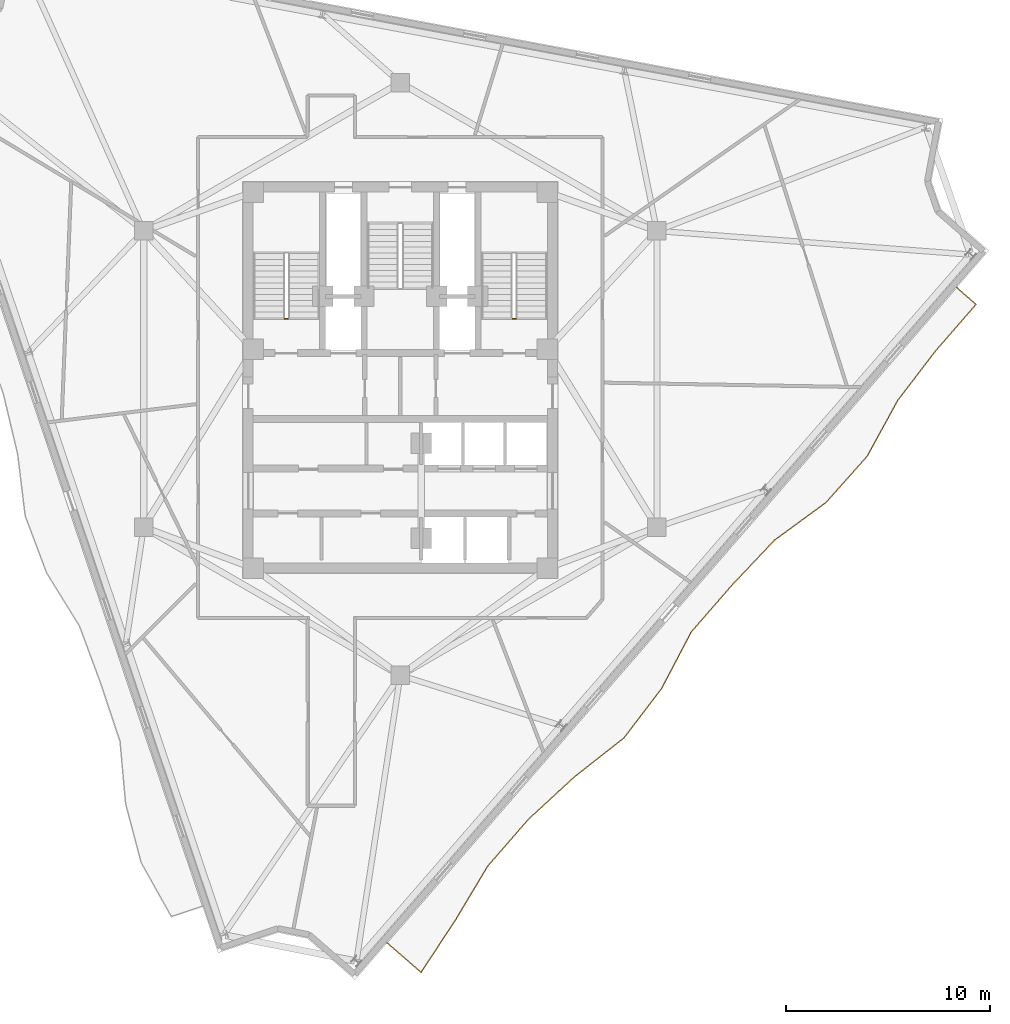
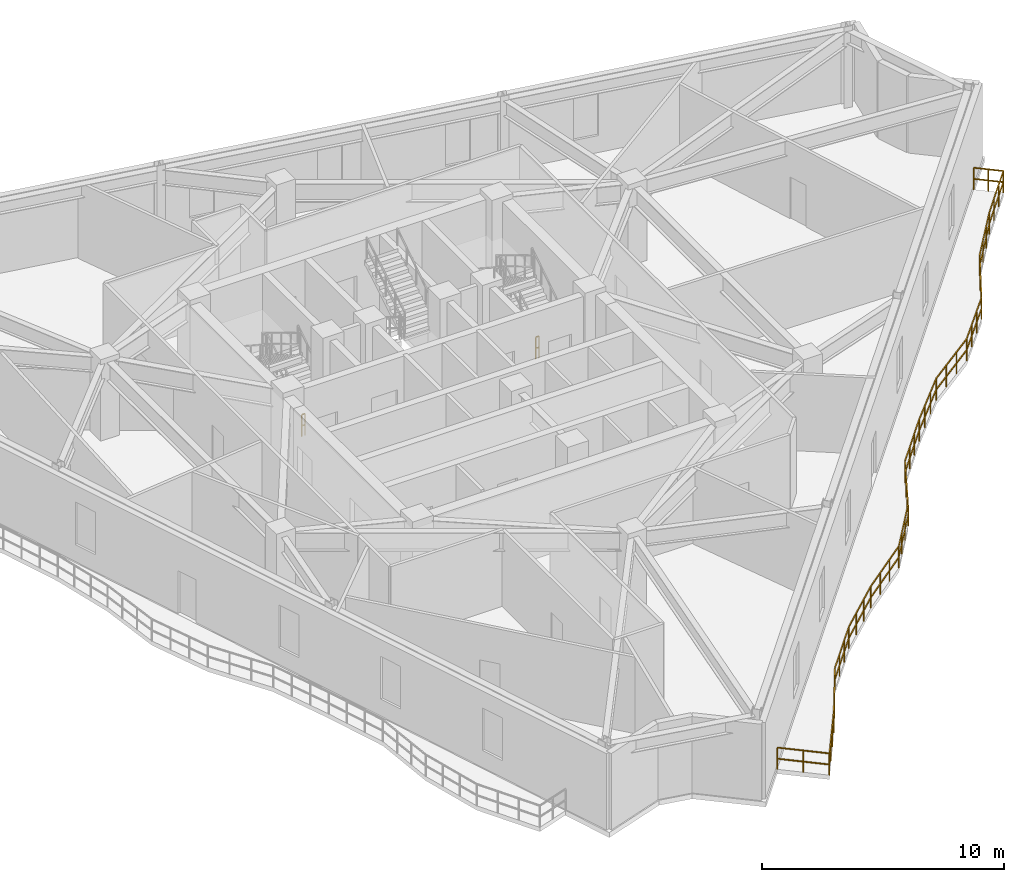
# One storey, part 9 of 10: 3 railings.
"""IFC4 building model written with IfcOpenShell, lengths in metres."""

from ifc_helpers import new_model, si_unit, direction, frame, origin, origin_2d, place, context, subcontext, project, spatial, rectangle, extrude, material, type_object, element, save


model = new_model("IFC4")

# Units and contexts
model_context = context("Model", 3, precision=1e-05, world=origin(), true_north=direction((0.0, 1.0)))
body_context = subcontext(model_context, "Body", "Model", "MODEL_VIEW")
ifc_project = project(units=[si_unit("LENGTHUNIT", "METRE"), si_unit("AREAUNIT", "SQUARE_METRE"), si_unit("VOLUMEUNIT", "CUBIC_METRE"), si_unit("PLANEANGLEUNIT", "RADIAN"), si_unit("MASSUNIT", "GRAM", prefix="KILO")], contexts=[model_context])

# Site, building, storey
site_placement = place(None, origin())
site = spatial("IfcSite", under=ifc_project, at=site_placement, CompositionType="ELEMENT")
building_placement = place(site_placement, origin())
building = spatial("IfcBuilding", under=site, at=building_placement, Name="Apsidion Concourse Tower", CompositionType="ELEMENT")
storey_placement = place(building_placement, frame((0.0, 0.0, 269.60009765625)))
storey = spatial("IfcBuildingStorey", under=building, at=storey_placement, Name="L63", CompositionType="ELEMENT", Elevation=269.60009765625)

# Railings
ifc_material = material(Name="Brushed stainless steel 316", Category="steel")
railing_type_1 = type_object("IfcRailingType", Name="RL-BAL-1120", PredefinedType="BALUSTRADE", material=ifc_material)
railing_placement = place(storey_placement, frame((27.2392578125, 4.47607421875, 0.0)))
element("IfcRailing", 1, at=railing_placement, inside=storey, type_object=railing_type_1, Name="L63 Face 2 Rippling Balcony Balustrade", PredefinedType="BALUSTRADE", context=body_context, shape_type="SweptSolid", body=[
    extrude(rectangle(XDim=0.048095703125, YDim=0.048095703125, at=origin_2d()), frame((0.0, 0.0, 1.09619140625), z_axis=(0.754702226027, -0.65606748893, 0.0), x_axis=(0.65606748893, 0.754702226027, 0.0)), (0.0, 0.0, 1.0), 1.25),
    extrude(rectangle(XDim=0.048095703125, YDim=0.048095703125, at=origin_2d()), frame((0.0, 0.0, 0.5361328125), z_axis=(0.754702226027, -0.65606748893, 0.0), x_axis=(0.65606748893, 0.754702226027, 0.0)), (0.0, 0.0, 1.0), 1.25),
    extrude(rectangle(XDim=0.048095703125, YDim=0.048095703125, at=origin_2d()), frame((0.943359375, -0.820068359375, 1.09619140625), z_axis=(-0.656041311893, -0.754724981096, 0.0), x_axis=(0.754724981096, -0.656041311893, 0.0)), (0.0, 0.0, 1.0), 3.03564453125),
    extrude(rectangle(XDim=0.048095703125, YDim=0.048095703125, at=origin_2d()), frame((0.943359375, -0.820068359375, 0.5361328125), z_axis=(-0.656041311893, -0.754724981096, 0.0), x_axis=(0.754724981096, -0.656041311893, 0.0)), (0.0, 0.0, 1.0), 3.03564453125),
    extrude(rectangle(XDim=0.048095703125, YDim=0.048095703125, at=origin_2d()), frame((-1.048095703125, -3.111083984375, 1.09619140625), z_axis=(-0.607155103219, -0.794583337753, 0.0), x_axis=(0.794583337753, -0.607155103219, 0.0)), (0.0, 0.0, 1.0), 3.04150390625),
    extrude(rectangle(XDim=0.048095703125, YDim=0.048095703125, at=origin_2d()), frame((-1.048095703125, -3.111083984375, 0.5361328125), z_axis=(-0.607155103219, -0.794583337753, 0.0), x_axis=(0.794583337753, -0.607155103219, 0.0)), (0.0, 0.0, 1.0), 3.04150390625),
    extrude(rectangle(XDim=0.048095703125, YDim=0.048095703125, at=origin_2d()), frame((-2.894775390625, -5.52783203125, 1.09619140625), z_axis=(-0.479754693606, -0.877402663527, 0.0), x_axis=(0.877402663527, -0.479754693606, 0.0)), (0.0, 0.0, 1.0), 3.107177734375),
    extrude(rectangle(XDim=0.048095703125, YDim=0.048095703125, at=origin_2d()), frame((-2.894775390625, -5.52783203125, 0.5361328125), z_axis=(-0.479754693606, -0.877402663527, 0.0), x_axis=(0.877402663527, -0.479754693606, 0.0)), (0.0, 0.0, 1.0), 3.107177734375),
    extrude(rectangle(XDim=0.048095703125, YDim=0.048095703125, at=origin_2d()), frame((-4.385498046875, -8.254150390625, 1.09619140625), z_axis=(-0.665027492139, -0.746818876769, 0.0), x_axis=(0.746818876769, -0.665027492139, 0.0)), (0.0, 0.0, 1.0), 3.03564453125),
    extrude(rectangle(XDim=0.048095703125, YDim=0.048095703125, at=origin_2d()), frame((-4.385498046875, -8.254150390625, 0.5361328125), z_axis=(-0.665027492139, -0.746818876769, 0.0), x_axis=(0.746818876769, -0.665027492139, 0.0)), (0.0, 0.0, 1.0), 3.03564453125),
    extrude(rectangle(XDim=0.048095703125, YDim=0.048095703125, at=origin_2d()), frame((-6.404296875, -10.521240234375, 1.09619140625), z_axis=(-0.807132406671, -0.590370458358, 0.0), x_axis=(0.590370458358, -0.807132406671, 0.0)), (0.0, 0.0, 1.0), 3.113037109375),
    extrude(rectangle(XDim=0.048095703125, YDim=0.048095703125, at=origin_2d()), frame((-6.404296875, -10.521240234375, 0.5361328125), z_axis=(-0.807132406671, -0.590370458358, 0.0), x_axis=(0.590370458358, -0.807132406671, 0.0)), (0.0, 0.0, 1.0), 3.113037109375),
    extrude(rectangle(XDim=0.048095703125, YDim=0.048095703125, at=origin_2d()), frame((-8.9169921875, -12.359130859375, 1.09619140625), z_axis=(-0.68739239436, -0.726286235706, 0.0), x_axis=(0.726286235706, -0.68739239436, 0.0)), (0.0, 0.0, 1.0), 3.0380859375),
    extrude(rectangle(XDim=0.048095703125, YDim=0.048095703125, at=origin_2d()), frame((-8.9169921875, -12.359130859375, 0.5361328125), z_axis=(-0.68739239436, -0.726286235706, 0.0), x_axis=(0.726286235706, -0.68739239436, 0.0)), (0.0, 0.0, 1.0), 3.0380859375),
    extrude(rectangle(XDim=0.048095703125, YDim=0.048095703125, at=origin_2d()), frame((-11.00537109375, -14.565673828125, 1.09619140625), z_axis=(-0.656087120153, -0.754685160029, 0.0), x_axis=(0.754685160029, -0.656087120153, 0.0)), (0.0, 0.0, 1.0), 3.03564453125),
    extrude(rectangle(XDim=0.048095703125, YDim=0.048095703125, at=origin_2d()), frame((-11.00537109375, -14.565673828125, 0.5361328125), z_axis=(-0.656087120153, -0.754685160029, 0.0), x_axis=(0.754685160029, -0.656087120153, 0.0)), (0.0, 0.0, 1.0), 3.03564453125),
    extrude(rectangle(XDim=0.048095703125, YDim=0.048095703125, at=origin_2d()), frame((-12.9970703125, -16.856689453125, 1.09619140625), z_axis=(-0.464223372506, -0.885718160827, 0.0), x_axis=(0.885718160827, -0.464223372506, 0.0)), (0.0, 0.0, 1.0), 3.11962890625),
    extrude(rectangle(XDim=0.048095703125, YDim=0.048095703125, at=origin_2d()), frame((-12.9970703125, -16.856689453125, 0.5361328125), z_axis=(-0.464223372506, -0.885718160827, 0.0), x_axis=(0.885718160827, -0.464223372506, 0.0)), (0.0, 0.0, 1.0), 3.11962890625),
    extrude(rectangle(XDim=0.048095703125, YDim=0.048095703125, at=origin_2d()), frame((-14.4453125, -19.619873046875, 1.09619140625), z_axis=(-0.605890857802, -0.795547778849, 0.0), x_axis=(0.795547778849, -0.605890857802, 0.0)), (0.0, 0.0, 1.0), 3.041748046875),
    extrude(rectangle(XDim=0.048095703125, YDim=0.048095703125, at=origin_2d()), frame((-14.4453125, -19.619873046875, 0.5361328125), z_axis=(-0.605890857802, -0.795547778849, 0.0), x_axis=(0.795547778849, -0.605890857802, 0.0)), (0.0, 0.0, 1.0), 3.041748046875),
    extrude(rectangle(XDim=0.048095703125, YDim=0.048095703125, at=origin_2d()), frame((-16.288330078125, -22.039794921875, 1.09619140625), z_axis=(-0.786074316572, -0.618131999516, 0.0), x_axis=(0.618131999516, -0.786074316572, 0.0)), (0.0, 0.0, 1.0), 3.090576171875),
    extrude(rectangle(XDim=0.048095703125, YDim=0.048095703125, at=origin_2d()), frame((-16.288330078125, -22.039794921875, 0.5361328125), z_axis=(-0.786074316572, -0.618131999516, 0.0), x_axis=(0.618131999516, -0.786074316572, 0.0)), (0.0, 0.0, 1.0), 3.090576171875),
    extrude(rectangle(XDim=0.048095703125, YDim=0.048095703125, at=origin_2d()), frame((-18.7177734375, -23.9501953125, 1.09619140625), z_axis=(-0.73514661585, -0.677908145108, 0.0), x_axis=(0.677908145108, -0.73514661585, 0.0)), (0.0, 0.0, 1.0), 3.053955078125),
    extrude(rectangle(XDim=0.048095703125, YDim=0.048095703125, at=origin_2d()), frame((-18.7177734375, -23.9501953125, 0.5361328125), z_axis=(-0.73514661585, -0.677908145108, 0.0), x_axis=(0.677908145108, -0.73514661585, 0.0)), (0.0, 0.0, 1.0), 3.053955078125),
    extrude(rectangle(XDim=0.048095703125, YDim=0.048095703125, at=origin_2d()), frame((-20.962890625, -26.0205078125, 1.09619140625), z_axis=(-0.656081135174, -0.754690363042, 0.0), x_axis=(0.754690363042, -0.656081135174, 0.0)), (0.0, 0.0, 1.0), 3.035400390625),
    extrude(rectangle(XDim=0.048095703125, YDim=0.048095703125, at=origin_2d()), frame((-20.962890625, -26.0205078125, 0.5361328125), z_axis=(-0.656081135174, -0.754690363042, 0.0), x_axis=(0.754690363042, -0.656081135174, 0.0)), (0.0, 0.0, 1.0), 3.035400390625),
    extrude(rectangle(XDim=0.048095703125, YDim=0.048095703125, at=origin_2d()), frame((-22.954345703125, -28.311279296875, 1.09619140625), z_axis=(-0.513645474084, -0.858002521531, 0.0), x_axis=(0.858002521531, -0.513645474084, 0.0)), (0.0, 0.0, 1.0), 3.083251953125),
    extrude(rectangle(XDim=0.048095703125, YDim=0.048095703125, at=origin_2d()), frame((-22.954345703125, -28.311279296875, 0.5361328125), z_axis=(-0.513645474084, -0.858002521531, 0.0), x_axis=(0.858002521531, -0.513645474084, 0.0)), (0.0, 0.0, 1.0), 3.083251953125),
    extrude(rectangle(XDim=0.048095703125, YDim=0.048095703125, at=origin_2d()), frame((-24.5380859375, -30.956787109375, 1.09619140625), z_axis=(-0.5492621808, -0.835650080323, 0.0), x_axis=(0.835650080323, -0.5492621808, 0.0)), (0.0, 0.0, 1.0), 3.06298828125),
    extrude(rectangle(XDim=0.048095703125, YDim=0.048095703125, at=origin_2d()), frame((-24.5380859375, -30.956787109375, 0.5361328125), z_axis=(-0.5492621808, -0.835650080323, 0.0), x_axis=(0.835650080323, -0.5492621808, 0.0)), (0.0, 0.0, 1.0), 3.06298828125),
    extrude(rectangle(XDim=0.048095703125, YDim=0.048095703125, at=origin_2d()), frame((-26.220458984375, -33.516357421875, 1.09619140625), z_axis=(-0.754765576509, 0.655994607079, 0.0), x_axis=(-0.655994607079, -0.754765576509, 0.0)), (0.0, 0.0, 1.0), 2.199951171875),
    extrude(rectangle(XDim=0.048095703125, YDim=0.048095703125, at=origin_2d()), frame((-26.220458984375, -33.516357421875, 0.5361328125), z_axis=(-0.754765576509, 0.655994607079, 0.0), x_axis=(-0.655994607079, -0.754765576509, 0.0)), (0.0, 0.0, 1.0), 2.199951171875),
    extrude(rectangle(XDim=0.0419921875, YDim=0.0419921875, at=origin_2d()), origin(), (0.0, 0.0, 1.0), 1.072021484375),
    extrude(rectangle(XDim=0.0419921875, YDim=0.0419921875, at=origin_2d()), frame((0.4716796875, -0.41015625, 0.0)), (0.0, 0.0, 1.0), 1.072021484375),
    extrude(rectangle(XDim=0.0419921875, YDim=0.0419921875, at=origin_2d()), frame((0.943359375, -0.820068359375, 0.0)), (0.0, 0.0, 1.0), 1.072021484375),
    extrude(rectangle(XDim=0.0419921875, YDim=0.0419921875, at=origin_2d()), frame((0.279541015625, -1.583740234375, 0.0)), (0.0, 0.0, 1.0), 1.072021484375),
    extrude(rectangle(XDim=0.0419921875, YDim=0.0419921875, at=origin_2d()), frame((-0.38427734375, -2.347412109375, 0.0)), (0.0, 0.0, 1.0), 1.072021484375),
    extrude(rectangle(XDim=0.0419921875, YDim=0.0419921875, at=origin_2d()), frame((-1.048095703125, -3.111083984375, 0.0)), (0.0, 0.0, 1.0), 1.072021484375),
    extrude(rectangle(XDim=0.0419921875, YDim=0.0419921875, at=origin_2d()), frame((-1.66357421875, -3.916748046875, 0.0)), (0.0, 0.0, 1.0), 1.072021484375),
    extrude(rectangle(XDim=0.0419921875, YDim=0.0419921875, at=origin_2d()), frame((-2.279296875, -4.72216796875, 0.0)), (0.0, 0.0, 1.0), 1.072021484375),
    extrude(rectangle(XDim=0.0419921875, YDim=0.0419921875, at=origin_2d()), frame((-2.894775390625, -5.52783203125, 0.0)), (0.0, 0.0, 1.0), 1.072021484375),
    extrude(rectangle(XDim=0.0419921875, YDim=0.0419921875, at=origin_2d()), frame((-3.3916015625, -6.4365234375, 0.0)), (0.0, 0.0, 1.0), 1.072021484375),
    extrude(rectangle(XDim=0.0419921875, YDim=0.0419921875, at=origin_2d()), frame((-3.888671875, -7.345458984375, 0.0)), (0.0, 0.0, 1.0), 1.072021484375),
    extrude(rectangle(XDim=0.0419921875, YDim=0.0419921875, at=origin_2d()), frame((-4.385498046875, -8.254150390625, 0.0)), (0.0, 0.0, 1.0), 1.072021484375),
    extrude(rectangle(XDim=0.0419921875, YDim=0.0419921875, at=origin_2d()), frame((-5.058349609375, -9.009765625, 0.0)), (0.0, 0.0, 1.0), 1.072021484375),
    extrude(rectangle(XDim=0.0419921875, YDim=0.0419921875, at=origin_2d()), frame((-5.7314453125, -9.765625, 0.0)), (0.0, 0.0, 1.0), 1.072021484375),
    extrude(rectangle(XDim=0.0419921875, YDim=0.0419921875, at=origin_2d()), frame((-6.404296875, -10.521240234375, 0.0)), (0.0, 0.0, 1.0), 1.072021484375),
    extrude(rectangle(XDim=0.0419921875, YDim=0.0419921875, at=origin_2d()), frame((-7.241943359375, -11.1337890625, 0.0)), (0.0, 0.0, 1.0), 1.072021484375),
    extrude(rectangle(XDim=0.0419921875, YDim=0.0419921875, at=origin_2d()), frame((-8.079345703125, -11.74658203125, 0.0)), (0.0, 0.0, 1.0), 1.072021484375),
    extrude(rectangle(XDim=0.0419921875, YDim=0.0419921875, at=origin_2d()), frame((-8.9169921875, -12.359130859375, 0.0)), (0.0, 0.0, 1.0), 1.072021484375),
    extrude(rectangle(XDim=0.0419921875, YDim=0.0419921875, at=origin_2d()), frame((-9.613037109375, -13.0947265625, 0.0)), (0.0, 0.0, 1.0), 1.072021484375),
    extrude(rectangle(XDim=0.0419921875, YDim=0.0419921875, at=origin_2d()), frame((-10.309326171875, -13.830078125, 0.0)), (0.0, 0.0, 1.0), 1.072021484375),
    extrude(rectangle(XDim=0.0419921875, YDim=0.0419921875, at=origin_2d()), frame((-11.00537109375, -14.565673828125, 0.0)), (0.0, 0.0, 1.0), 1.072021484375),
    extrude(rectangle(XDim=0.0419921875, YDim=0.0419921875, at=origin_2d()), frame((-11.669189453125, -15.329345703125, 0.0)), (0.0, 0.0, 1.0), 1.072021484375),
    extrude(rectangle(XDim=0.0419921875, YDim=0.0419921875, at=origin_2d()), frame((-12.333251953125, -16.093017578125, 0.0)), (0.0, 0.0, 1.0), 1.072021484375),
    extrude(rectangle(XDim=0.0419921875, YDim=0.0419921875, at=origin_2d()), frame((-12.9970703125, -16.856689453125, 0.0)), (0.0, 0.0, 1.0), 1.072021484375),
    extrude(rectangle(XDim=0.0419921875, YDim=0.0419921875, at=origin_2d()), frame((-13.479736328125, -17.77783203125, 0.0)), (0.0, 0.0, 1.0), 1.072021484375),
    extrude(rectangle(XDim=0.0419921875, YDim=0.0419921875, at=origin_2d()), frame((-13.962646484375, -18.69873046875, 0.0)), (0.0, 0.0, 1.0), 1.072021484375),
    extrude(rectangle(XDim=0.0419921875, YDim=0.0419921875, at=origin_2d()), frame((-14.4453125, -19.619873046875, 0.0)), (0.0, 0.0, 1.0), 1.072021484375),
    extrude(rectangle(XDim=0.0419921875, YDim=0.0419921875, at=origin_2d()), frame((-15.0595703125, -20.426513671875, 0.0)), (0.0, 0.0, 1.0), 1.072021484375),
    extrude(rectangle(XDim=0.0419921875, YDim=0.0419921875, at=origin_2d()), frame((-15.674072265625, -21.233154296875, 0.0)), (0.0, 0.0, 1.0), 1.072021484375),
    extrude(rectangle(XDim=0.0419921875, YDim=0.0419921875, at=origin_2d()), frame((-16.288330078125, -22.039794921875, 0.0)), (0.0, 0.0, 1.0), 1.072021484375),
    extrude(rectangle(XDim=0.0419921875, YDim=0.0419921875, at=origin_2d()), frame((-17.09814453125, -22.676513671875, 0.0)), (0.0, 0.0, 1.0), 1.072021484375),
    extrude(rectangle(XDim=0.0419921875, YDim=0.0419921875, at=origin_2d()), frame((-17.907958984375, -23.3134765625, 0.0)), (0.0, 0.0, 1.0), 1.072021484375),
    extrude(rectangle(XDim=0.0419921875, YDim=0.0419921875, at=origin_2d()), frame((-18.7177734375, -23.9501953125, 0.0)), (0.0, 0.0, 1.0), 1.072021484375),
    extrude(rectangle(XDim=0.0419921875, YDim=0.0419921875, at=origin_2d()), frame((-19.466064453125, -24.640380859375, 0.0)), (0.0, 0.0, 1.0), 1.072021484375),
    extrude(rectangle(XDim=0.0419921875, YDim=0.0419921875, at=origin_2d()), frame((-20.214599609375, -25.330322265625, 0.0)), (0.0, 0.0, 1.0), 1.072021484375),
    extrude(rectangle(XDim=0.0419921875, YDim=0.0419921875, at=origin_2d()), frame((-20.962890625, -26.0205078125, 0.0)), (0.0, 0.0, 1.0), 1.072021484375),
    extrude(rectangle(XDim=0.0419921875, YDim=0.0419921875, at=origin_2d()), frame((-21.626708984375, -26.7841796875, 0.0)), (0.0, 0.0, 1.0), 1.072021484375),
    extrude(rectangle(XDim=0.0419921875, YDim=0.0419921875, at=origin_2d()), frame((-22.29052734375, -27.547607421875, 0.0)), (0.0, 0.0, 1.0), 1.072021484375),
    extrude(rectangle(XDim=0.0419921875, YDim=0.0419921875, at=origin_2d()), frame((-22.954345703125, -28.311279296875, 0.0)), (0.0, 0.0, 1.0), 1.072021484375),
    extrude(rectangle(XDim=0.0419921875, YDim=0.0419921875, at=origin_2d()), frame((-23.482177734375, -29.193115234375, 0.0)), (0.0, 0.0, 1.0), 1.072021484375),
    extrude(rectangle(XDim=0.0419921875, YDim=0.0419921875, at=origin_2d()), frame((-24.01025390625, -30.074951171875, 0.0)), (0.0, 0.0, 1.0), 1.072021484375),
    extrude(rectangle(XDim=0.0419921875, YDim=0.0419921875, at=origin_2d()), frame((-24.5380859375, -30.956787109375, 0.0)), (0.0, 0.0, 1.0), 1.072021484375),
    extrude(rectangle(XDim=0.0419921875, YDim=0.0419921875, at=origin_2d()), frame((-25.098876953125, -31.81005859375, 0.0)), (0.0, 0.0, 1.0), 1.072021484375),
    extrude(rectangle(XDim=0.0419921875, YDim=0.0419921875, at=origin_2d()), frame((-25.65966796875, -32.6630859375, 0.0)), (0.0, 0.0, 1.0), 1.072021484375),
    extrude(rectangle(XDim=0.0419921875, YDim=0.0419921875, at=origin_2d()), frame((-26.220458984375, -33.516357421875, 0.0)), (0.0, 0.0, 1.0), 1.072021484375),
    extrude(rectangle(XDim=0.0419921875, YDim=0.0419921875, at=origin_2d()), frame((-27.05078125, -32.794921875, 0.0)), (0.0, 0.0, 1.0), 1.072021484375),
    extrude(rectangle(XDim=0.0419921875, YDim=0.0419921875, at=origin_2d()), frame((-27.880859375, -32.0732421875, 0.0)), (0.0, 0.0, 1.0), 1.072021484375),
])
railing_type_2 = type_object("IfcRailingType", Name="RL-GUARD-1100", PredefinedType="GUARDRAIL", material=ifc_material)
for number, where, name in (
    (2, (-5.5, 2.949951171875, 0.0), "L63 ST1 stair guard 4"),
    (3, (5.64990234375, 2.949951171875, 0.0), "L63 ST2 stair guard 4"),
):
    element("IfcRailing", number, at=place(storey_placement, frame(where)), inside=storey, type_object=railing_type_2, Name=name, PredefinedType="GUARDRAIL", context=body_context, shape_type="SweptSolid", body=[
        extrude(rectangle(XDim=0.048095703125, YDim=0.048095703125, at=origin_2d()), frame((0.0, 0.0, 1.09619140625), z_axis=(-1.0, 0.0, 0.0), x_axis=(0.0, -1.0, 0.0)), (0.0, 0.0, 1.0), 0.14990234375),
        extrude(rectangle(XDim=0.048095703125, YDim=0.048095703125, at=origin_2d()), frame((0.0, 0.0, 0.5361328125), z_axis=(-1.0, 0.0, 0.0), x_axis=(0.0, -1.0, 0.0)), (0.0, 0.0, 1.0), 0.14990234375),
        extrude(rectangle(XDim=0.0419921875, YDim=0.0419921875, at=origin_2d()), origin(), (0.0, 0.0, 1.0), 1.072021484375),
        extrude(rectangle(XDim=0.0419921875, YDim=0.0419921875, at=origin_2d()), frame((-0.14990234375, 0.0, 0.0)), (0.0, 0.0, 1.0), 1.072021484375),
    ])

save(model, "model.ifc")
